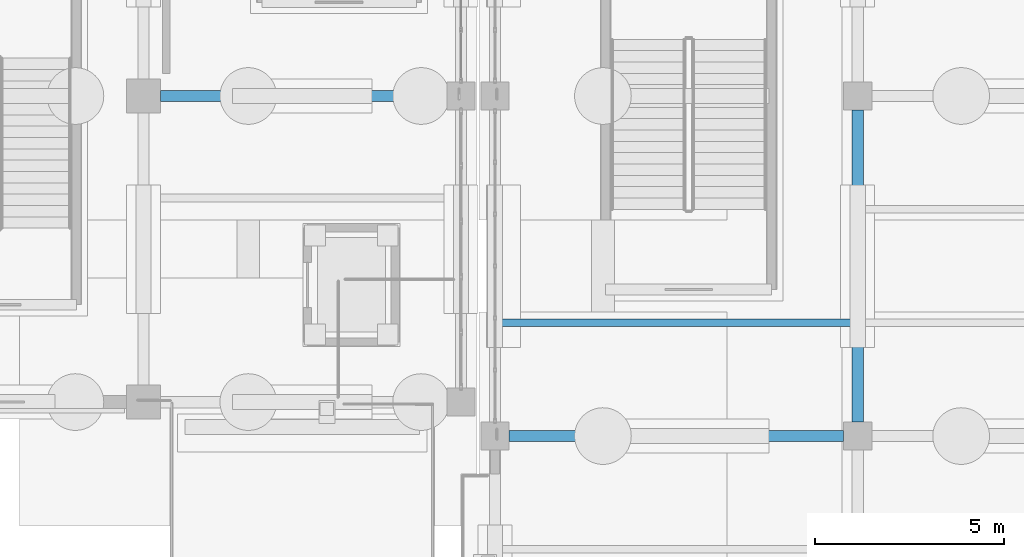
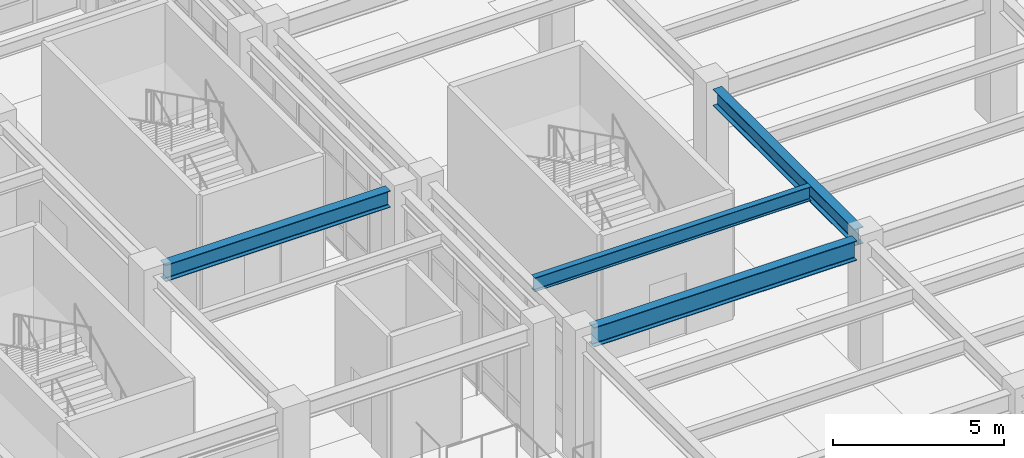
# One storey, part 68 of 139: 4 beams.
"""IFC4 building model written with IfcOpenShell, lengths in metres."""

import ifcopenshell
import ifcopenshell.guid

model = None  # the IFC model being written
_history = None  # IfcOwnerHistory: only IFC2X3 demands one
_inside = {}  # id of a spatial element -> (the spatial element, [elements in it])
_under = {}  # id of a project, library or spatial element -> (it, [spatial elements below it])
_declared = {}  # id of a project -> (the project, [libraries it declares])
_typed = {}  # id of a type object -> (the type object, [elements of that type])
_made_of = {}  # id of a material, layer set ... -> (it, [elements and type objects made of it])


def new_model(schema):
    """Start an empty IFC model of exactly this schema.

    Asked for "IFC4X3", IfcOpenShell would pick the latest addendum, in which some entities
    have other attributes; the version numbers below select the first issue.
    IFC2X3 requires an IfcOwnerHistory on every rooted entity: one is made here for all.
    """
    global model, _history
    if schema == "IFC4X3":
        model = ifcopenshell.file(schema_version=(4, 3, 0, 0))
    else:
        model = ifcopenshell.file(schema=schema)
    _inside.clear()
    _under.clear()
    _declared.clear()
    _typed.clear()
    _made_of.clear()
    _history = None
    if model.schema == "IFC2X3":
        org = make("IfcOrganization", Name="unknown")
        user = make(
            "IfcPersonAndOrganization",
            ThePerson=make("IfcPerson", FamilyName="unknown"),
            TheOrganization=org,
        )
        app = make(
            "IfcApplication",
            ApplicationDeveloper=org,
            Version="unknown",
            ApplicationFullName="unknown",
            ApplicationIdentifier="unknown",
        )
        _history = make(
            "IfcOwnerHistory",
            OwningUser=user,
            OwningApplication=app,
            ChangeAction="ADDED",
            CreationDate=0,
        )
    return model


def make(cls, **values):
    """One entity of the class cls with the attributes given. An attribute that is None is left unset."""
    return model.create_entity(
        cls, **{name: value for name, value in values.items() if value is not None}
    )


def rooted(cls, **values):
    """An entity with a GlobalId (a new one), such as an element, a storey or a relation."""
    return make(cls, GlobalId=ifcopenshell.guid.new(), OwnerHistory=_history, **values)


def si_unit(unit_type, name, prefix=None):
    """IfcSIUnit, for example si_unit("LENGTHUNIT", "METRE", prefix="MILLI")."""
    return make("IfcSIUnit", UnitType=unit_type, Prefix=prefix, Name=name)


def assignment(units):
    """IfcUnitAssignment: the units of a project."""
    return None if units is None else make("IfcUnitAssignment", Units=units)


def point(xyz):
    """IfcCartesianPoint."""
    return None if xyz is None else make("IfcCartesianPoint", Coordinates=xyz)


def direction(xyz):
    """IfcDirection."""
    return None if xyz is None else make("IfcDirection", DirectionRatios=xyz)


def frame(location, z_axis=None, x_axis=None):
    """IfcAxis2Placement3D, a coordinate frame: its origin and axes. An axis left out is left unset."""
    return make(
        "IfcAxis2Placement3D",
        Location=point(location),
        Axis=direction(z_axis),
        RefDirection=direction(x_axis),
    )


def frame_2d(location, x_axis=None):
    """IfcAxis2Placement2D, a coordinate frame in the plane: its origin and x axis."""
    return make(
        "IfcAxis2Placement2D", Location=point(location), RefDirection=direction(x_axis)
    )


def origin():
    """The frame at (0, 0, 0) with its axes left unset."""
    return frame((0.0, 0.0, 0.0))


def origin_2d():
    """The frame at (0, 0) in the plane with its x axis left unset."""
    return frame_2d((0.0, 0.0))


def place(relative_to, where):
    """IfcLocalPlacement: puts the frame where relative to a parent placement (None: the world)."""
    return make(
        "IfcLocalPlacement", PlacementRelTo=relative_to, RelativePlacement=where
    )


def context(
    kind, dimensions, precision=None, world=None, true_north=None, identifier=None
):
    """IfcGeometricRepresentationContext, for example the 3D "Model" context."""
    return make(
        "IfcGeometricRepresentationContext",
        ContextIdentifier=identifier,
        ContextType=kind,
        CoordinateSpaceDimension=dimensions,
        Precision=precision,
        WorldCoordinateSystem=world,
        TrueNorth=true_north,
    )


def subcontext(parent, identifier, kind, view, scale=None):
    """IfcGeometricRepresentationSubContext, for example "Body" below "Model"."""
    return make(
        "IfcGeometricRepresentationSubContext",
        ContextIdentifier=identifier,
        ContextType=kind,
        ParentContext=parent,
        TargetScale=scale,
        TargetView=view,
    )


def project(units=None, contexts=None):
    """IfcProject with its units and contexts."""
    return rooted(
        "IfcProject",
        Name="project",
        RepresentationContexts=contexts,
        UnitsInContext=assignment(units),
    )


def spatial(cls, under=None, at=None, **own):
    """A site, building, storey or space (cls), placed at a placement, below another one or the project."""
    s = rooted(cls, ObjectPlacement=at, **own)
    if under is not None:
        _under.setdefault(under.id(), (under, []))[1].append(s)
    return s


def profile(cls, at=None, kind="AREA", **sizes):
    """A parametric profile (cls). Its sizes go by their IFC names, for example OverallWidth=200.0."""
    return make(cls, ProfileType=kind, Position=at, **sizes)


def i_section(**sizes):
    """IfcIShapeProfileDef."""
    return profile("IfcIShapeProfileDef", **sizes)


def extrude(swept, where, along, depth):
    """IfcExtrudedAreaSolid: the profile swept, set in the frame where, extruded along a direction by depth."""
    return make(
        "IfcExtrudedAreaSolid",
        SweptArea=swept,
        Position=where,
        ExtrudedDirection=direction(along),
        Depth=depth,
    )


def shape(context_of_items, identifier, shape_type, items):
    """IfcShapeRepresentation: the items that make up one representation, for example the "Body"."""
    return make(
        "IfcShapeRepresentation",
        ContextOfItems=context_of_items,
        RepresentationIdentifier=identifier,
        RepresentationType=shape_type,
        Items=items,
    )


def material(Name=None, Category=None):
    """IfcMaterial."""
    return make("IfcMaterial", Name=Name, Category=Category)


def material_profile(
    of_material, cross_section, Name=None, Category=None, Priority=None
):
    """IfcMaterialProfile: a cross section and its material."""
    return make(
        "IfcMaterialProfile",
        Name=Name,
        Material=of_material,
        Profile=cross_section,
        Priority=Priority,
        Category=Category,
    )


def profile_set(profiles, Name=None, composite=None):
    """IfcMaterialProfileSet."""
    return make(
        "IfcMaterialProfileSet",
        Name=Name,
        MaterialProfiles=profiles,
        CompositeProfile=composite,
    )


def made_of(thing, what):
    """Note that an element or type object is made of a material, layer set ...; save() writes the relation."""
    if what is not None:
        _made_of.setdefault(what.id(), (what, []))[1].append(thing)
    return thing


def type_object(cls, material=None, **own):
    """A type object (cls), such as IfcWallType, which elements share."""
    return made_of(rooted(cls, **own), material)


def element(
    cls,
    number,
    at=None,
    inside=None,
    cuts=None,
    type_object=None,
    material=None,
    context=None,
    identifier="Body",
    shape_type=None,
    held_by="IfcProductDefinitionShape",
    body=None,
    shapes=None,
    **own,
):
    """One element of the class cls, such as IfcWall. Its Tag is "e" and its number.

    at: its placement. inside: the storey or other place that contains it. cuts: it is an
    opening in that element (IfcRelVoidsElement). A single representation is given by context,
    identifier, shape_type and body (its items); several are given by shapes. held_by: the class
    of the entity that holds the representations. save() writes the other relations.
    """
    e = rooted(cls, Tag="e%d" % number, ObjectPlacement=at, **own)
    if body is not None:
        shapes = [shape(context, identifier, shape_type, body)]
    if shapes is not None:
        e.Representation = make(held_by, Representations=shapes)
    if inside is not None:
        _inside.setdefault(inside.id(), (inside, []))[1].append(e)
    if cuts is not None:
        rooted(
            "IfcRelVoidsElement", RelatingBuildingElement=cuts, RelatedOpeningElement=e
        )
    if type_object is not None:
        _typed.setdefault(type_object.id(), (type_object, []))[1].append(e)
    return made_of(e, material)


def aggregate(whole, parts):
    """IfcRelAggregates: a whole, such as a stair, and the parts it consists of."""
    return rooted("IfcRelAggregates", RelatingObject=whole, RelatedObjects=parts)


def save(model, path):
    """Write the relations noted so far, then the file.

    IfcRelAggregates (storeys below a building ...), IfcRelContainedInSpatialStructure (elements
    in a storey), IfcRelDefinesByType, IfcRelAssociatesMaterial and IfcRelDeclares: one each for
    every whole, place, type object, material and project.
    """
    for whole, parts in _under.values():
        aggregate(whole, parts)
    for where, things in _inside.values():
        rooted(
            "IfcRelContainedInSpatialStructure",
            RelatedElements=things,
            RelatingStructure=where,
        )
    for kind, things in _typed.values():
        rooted("IfcRelDefinesByType", RelatedObjects=things, RelatingType=kind)
    for what, things in _made_of.values():
        rooted("IfcRelAssociatesMaterial", RelatedObjects=things, RelatingMaterial=what)
    for by, libraries in _declared.values():
        rooted("IfcRelDeclares", RelatingContext=by, RelatedDefinitions=libraries)
    model.write(path)


model = new_model("IFC4")

# Units and contexts
model_context = context("Model", 3, precision=1e-05, world=origin(), true_north=direction((0.0, 1.0)))
body_context = subcontext(model_context, "Body", "Model", "MODEL_VIEW")
ifc_project = project(units=[si_unit("LENGTHUNIT", "METRE"), si_unit("AREAUNIT", "SQUARE_METRE"), si_unit("VOLUMEUNIT", "CUBIC_METRE"), si_unit("PLANEANGLEUNIT", "RADIAN"), si_unit("MASSUNIT", "GRAM", prefix="KILO")], contexts=[model_context])

# Site, building, storey
site_placement = place(None, origin())
site = spatial("IfcSite", under=ifc_project, at=site_placement, CompositionType="ELEMENT")
building_placement = place(site_placement, origin())
building = spatial("IfcBuilding", under=site, at=building_placement, Name="Canglan Escarpment Cableway Terminal", CompositionType="ELEMENT")
storey_placement = place(building_placement, frame((0.0, 0.0, 14.39990234375)))
storey = spatial("IfcBuildingStorey", under=building, at=storey_placement, Name="L03", CompositionType="ELEMENT", Elevation=14.39990234375)

# Beams
ifc_material_1 = material(Name="Steel Q355C", Category="steel")
ifc_material_profile_1 = material_profile(ifc_material_1, i_section(OverallWidth=0.302001953125, OverallDepth=0.593994140625, WebThickness=0.013916015625, FlangeThickness=0.02294921875, FilletRadius=0.028076171875, at=origin_2d()), Name="HM 594x302x14x23")
ifc_profile_set_1 = profile_set([ifc_material_profile_1], Name="Steel Q355C")
beam_type_1 = type_object("IfcBeamType", Name="BM-HM594", PredefinedType="BEAM", material=ifc_profile_set_1)
beam_1_placement = place(storey_placement, frame((128.75, 97.0, 4.203125), z_axis=(1.0, 0.0, 0.0), x_axis=(0.0, 1.0, 0.0)))
element("IfcBeam", 1, at=beam_1_placement, inside=storey, type_object=beam_type_1, Name="Primary structural girder B-07", PredefinedType="BEAM", context=body_context, shape_type="SweptSolid", body=[
    extrude(i_section(OverallWidth=0.302001953125, OverallDepth=0.593994140625, WebThickness=0.013916015625, FlangeThickness=0.02294921875, FilletRadius=0.028076171875, at=origin_2d()), origin(), (0.0, 0.0, 1.0), 7.574951171875),
])
beam_2_placement = place(storey_placement, frame((147.199951171875, 88.375, 4.203125), z_axis=(0.0, 1.0, 0.0), x_axis=(-1.0, 0.0, 0.0)))
element("IfcBeam", 2, at=beam_2_placement, inside=storey, type_object=beam_type_1, Name="Primary transverse girder B-07", PredefinedType="BEAM", context=body_context, shape_type="SweptSolid", body=[
    extrude(i_section(OverallWidth=0.302001953125, OverallDepth=0.593994140625, WebThickness=0.013916015625, FlangeThickness=0.02294921875, FilletRadius=0.028076171875, at=origin_2d()), origin(), (0.0, 0.0, 1.0), 8.25),
])
ifc_material_profile_2 = material_profile(ifc_material_1, i_section(OverallWidth=0.300048828125, OverallDepth=0.699951171875, WebThickness=0.012939453125, FlangeThickness=0.02392578125, FilletRadius=0.028076171875, at=origin_2d()), Name="HN 700x300x13x24")
ifc_profile_set_2 = profile_set([ifc_material_profile_2], Name="Steel Q355C")
beam_type_2 = type_object("IfcBeamType", Name="BM-HN700", PredefinedType="BEAM", material=ifc_profile_set_2)
beam_3_placement = place(storey_placement, frame((137.97509765625, 88.0, 4.150146484375), z_axis=(1.0, 0.0, 0.0), x_axis=(0.0, 1.0, 0.0)))
element("IfcBeam", 3, at=beam_3_placement, inside=storey, type_object=beam_type_2, Name="Primary structural girder B-06", PredefinedType="BEAM", context=body_context, shape_type="SweptSolid", body=[
    extrude(i_section(OverallWidth=0.300048828125, OverallDepth=0.699951171875, WebThickness=0.012939453125, FlangeThickness=0.02392578125, FilletRadius=0.028076171875, at=origin_2d()), origin(), (0.0, 0.0, 1.0), 8.849853515625),
])
ifc_material_2 = material(Name="Steel Q355B", Category="steel")
ifc_material_profile_3 = material_profile(ifc_material_2, i_section(OverallWidth=0.199951171875, OverallDepth=0.5, WebThickness=0.010009765625, FlangeThickness=0.01611328125, FilletRadius=0.02001953125, at=origin_2d()), Name="HN 500x200x10x16")
ifc_profile_set_3 = profile_set([ifc_material_profile_3], Name="Steel Q355B")
beam_type_3 = type_object("IfcBeamType", Name="JS-HN500", PredefinedType="JOIST", material=ifc_profile_set_3)
beam_4_placement = place(storey_placement, frame((137.7509765625, 91.0, 4.25), z_axis=(1.0, 0.0, 0.0), x_axis=(0.0, 1.0, 0.0)))
element("IfcBeam", 4, at=beam_4_placement, inside=storey, type_object=beam_type_3, Name="Secondary composite deck joist J-01", PredefinedType="JOIST", context=body_context, shape_type="SweptSolid", body=[
    extrude(i_section(OverallWidth=0.199951171875, OverallDepth=0.5, WebThickness=0.010009765625, FlangeThickness=0.01611328125, FilletRadius=0.02001953125, at=origin_2d()), origin(), (0.0, 0.0, 1.0), 9.298095703125),
])

save(model, "model.ifc")
